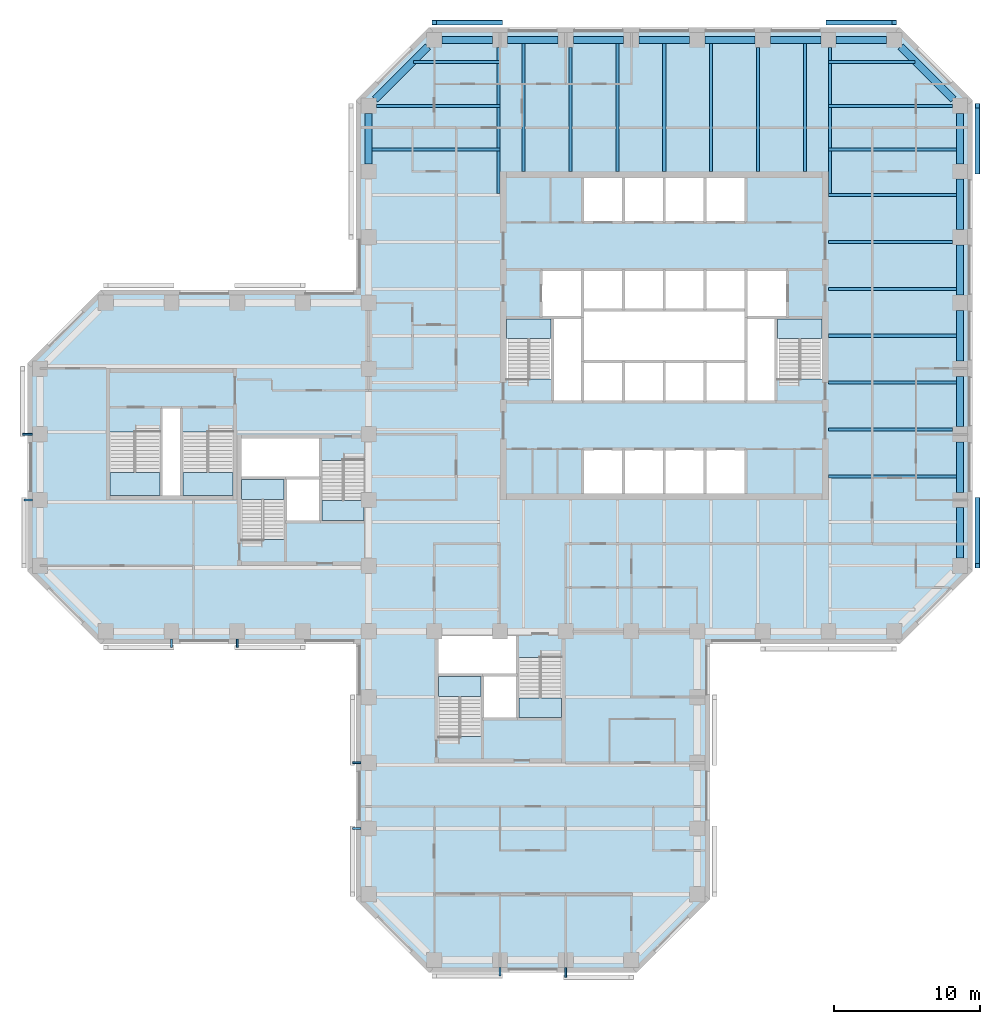
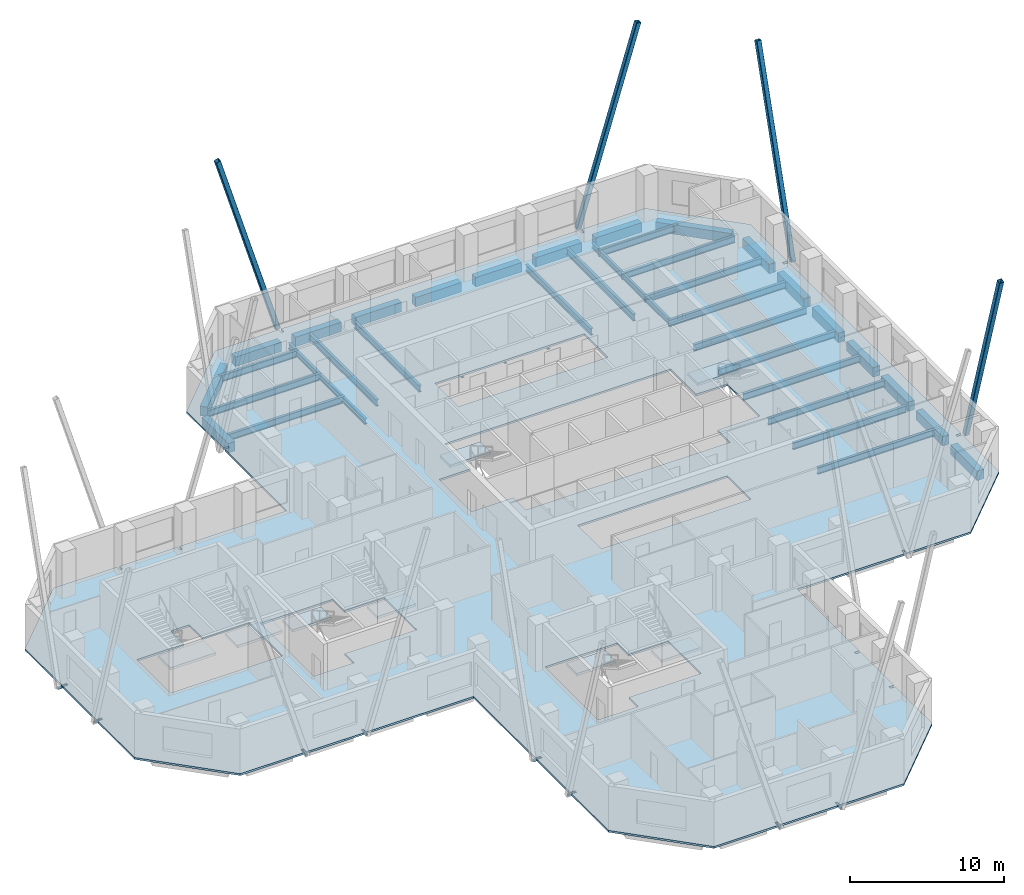
# One storey, part 2 of 11: 47 beams, 9 slabs, 4 members, 8 elements without a shape of their own.
"""IFC4 building model written with IfcOpenShell, lengths in metres."""

from ifc_helpers import new_model, si_unit, direction, frame, origin, origin_2d, place, context, subcontext, project, spatial, polyline, rectangle, hollow_rectangle, i_section, outline, extrude, material, layer, layer_set, material_profile, profile_set, type_object, element, aggregate, save


model = new_model("IFC4")

# Units and contexts
model_context = context("Model", 3, precision=1e-05, world=origin(), true_north=direction((0.0, 1.0)))
body_context = subcontext(model_context, "Body", "Model", "MODEL_VIEW")
ifc_project = project(units=[si_unit("LENGTHUNIT", "METRE"), si_unit("AREAUNIT", "SQUARE_METRE"), si_unit("VOLUMEUNIT", "CUBIC_METRE"), si_unit("PLANEANGLEUNIT", "RADIAN"), si_unit("MASSUNIT", "GRAM", prefix="KILO")], contexts=[model_context])

# Site, building, storey
site_placement = place(None, origin())
site = spatial("IfcSite", under=ifc_project, at=site_placement, CompositionType="ELEMENT")
building_placement = place(site_placement, origin())
building = spatial("IfcBuilding", under=site, at=building_placement, Name="Quoin Convention Tower", CompositionType="ELEMENT")
storey_placement = place(building_placement, frame((0.0, 0.0, 82.60009765625)))
storey = spatial("IfcBuildingStorey", under=building, at=storey_placement, Name="L21", CompositionType="ELEMENT", Elevation=82.60009765625)

# Beams
ifc_material_1 = material(Name="Steel C450L0", Category="steel")
ifc_material_profile_1 = material_profile(ifc_material_1, hollow_rectangle(XDim=0.14990234375, YDim=0.14990234375, WallThickness=0.008056640625, InnerFilletRadius=0.011962890625, OuterFilletRadius=0.02001953125, at=origin_2d()), Name="150x150x8.0SHS")
ifc_profile_set_1 = profile_set([ifc_material_profile_1], Name="Steel C450L0")
beam_type_1 = type_object("IfcBeamType", Name="150x150x8.0SHS", PredefinedType="BEAM", material=ifc_profile_set_1)
beam_1_placement = place(storey_placement, frame((12.97509765625, 54.0, -0.0751953125), z_axis=(-1.0, 0.0, 0.0), x_axis=(0.0, -1.0, 0.0)))
element("IfcBeam", 1, at=beam_1_placement, inside=storey, type_object=beam_type_1, Name="brk-lo-L21-13500_58500-13500_54000", PredefinedType="BEAM", context=body_context, shape_type="SweptSolid", body=[
    extrude(hollow_rectangle(XDim=0.14990234375, YDim=0.14990234375, WallThickness=0.008056640625, InnerFilletRadius=0.011962890625, OuterFilletRadius=0.02001953125, at=origin_2d()), origin(), (0.0, 0.0, 1.0), 0.675048828125),
])
for number, where, z_axis, x_axis, name in (
    (2, (12.97509765625, 49.5, -0.0751953125), (-1.0, 0.0, 0.0), (0.0, -1.0, 0.0), "brk-lo-L21-13500_49500-13500_45000"),
    (3, (22.5, 39.97509765625, -0.0751953125), (0.0, -1.0, 0.0), (1.0, 0.0, 0.0), "brk-lo-L21-18000_40500-22500_40500"),
    (4, (27.0, 39.97509765625, -0.0751953125), (0.0, -1.0, 0.0), (1.0, 0.0, 0.0), "brk-lo-L21-27000_40500-31500_40500"),
    (5, (35.47509765625, 31.5, -0.0751953125), (-1.0, 0.0, 0.0), (0.0, -1.0, 0.0), "brk-lo-L21-36000_36000-36000_31500"),
    (6, (35.47509765625, 27.0, -0.0751953125), (-1.0, 0.0, 0.0), (0.0, -1.0, 0.0), "brk-lo-L21-36000_27000-36000_22500"),
    (7, (45.0, 17.47509765625, -0.0751953125), (0.0, -1.0, 0.0), (1.0, 0.0, 0.0), "brk-lo-L21-40500_18000-45000_18000"),
):
    element("IfcBeam", number, at=place(storey_placement, frame(where, z_axis=z_axis, x_axis=x_axis)), inside=storey, type_object=beam_type_1, Name=name, PredefinedType="BEAM", context=body_context, shape_type="SweptSolid", body=[
        extrude(hollow_rectangle(XDim=0.14990234375, YDim=0.14990234375, WallThickness=0.008056640625, InnerFilletRadius=0.011962890625, OuterFilletRadius=0.02001953125, at=origin_2d()), origin(), (0.0, 0.0, 1.0), 0.5751953125),
    ])
beam_2_placement = place(storey_placement, frame((49.5, 17.47509765625, -0.0751953125), z_axis=(0.0, -1.0, 0.0), x_axis=(1.0, 0.0, 0.0)))
element("IfcBeam", 8, at=beam_2_placement, inside=storey, type_object=beam_type_1, Name="brk-lo-L21-49500_18000-54000_18000", PredefinedType="BEAM", context=body_context, shape_type="SweptSolid", body=[
    extrude(hollow_rectangle(XDim=0.14990234375, YDim=0.14990234375, WallThickness=0.008056640625, InnerFilletRadius=0.011962890625, OuterFilletRadius=0.02001953125, at=origin_2d()), origin(), (0.0, 0.0, 1.0), 0.675048828125),
])
ifc_material_2 = material(Name="Steel Grade 300", Category="steel")
ifc_material_profile_2 = material_profile(ifc_material_2, i_section(OverallWidth=0.18994140625, OverallDepth=0.4541015625, WebThickness=0.008544921875, FlangeThickness=0.0126953125, FilletRadius=0.011474609375, at=origin_2d()), Name="460UB67.1")
ifc_profile_set_2 = profile_set([ifc_material_profile_2], Name="Steel Grade 300")
beam_type_2 = type_object("IfcBeamType", Name="460UB67.1", PredefinedType="BEAM", material=ifc_profile_set_2)
for number, where, z_axis, x_axis, name in (
    (9, (44.8955078125, 80.47509765625, -0.377197265625), (0.0, -1.0, 0.0), (1.0, 0.0, 0.0), "gir-L21-T1NW"),
    (10, (67.6044921875, 80.47509765625, -0.377197265625), (0.0, -1.0, 0.0), (1.0, 0.0, 0.0), "gir-L21-T1NE"),
):
    element("IfcBeam", number, at=place(storey_placement, frame(where, z_axis=z_axis, x_axis=x_axis)), inside=storey, type_object=beam_type_2, Name=name, PredefinedType="BEAM", context=body_context, shape_type="SweptSolid", body=[
        extrude(i_section(OverallWidth=0.18994140625, OverallDepth=0.4541015625, WebThickness=0.008544921875, FlangeThickness=0.0126953125, FilletRadius=0.011474609375, at=origin_2d()), origin(), (0.0, 0.0, 1.0), 9.977783203125),
    ])
ifc_material_profile_3 = material_profile(ifc_material_2, i_section(OverallWidth=0.208984375, OverallDepth=0.528076171875, WebThickness=0.009521484375, FlangeThickness=0.01318359375, FilletRadius=0.013916015625, at=origin_2d()), Name="530UB82.0")
ifc_profile_set_3 = profile_set([ifc_material_profile_3], Name="Steel Grade 300")
beam_type_3 = type_object("IfcBeamType", Name="530UB82.0", PredefinedType="BEAM", material=ifc_profile_set_3)
beam_3_placement = place(storey_placement, frame((67.5, 51.107177734375, -0.4140625), z_axis=(1.0, 0.0, 0.0), x_axis=(0.0, 1.0, 0.0)))
element("IfcBeam", 11, at=beam_3_placement, inside=storey, type_object=beam_type_3, Name="bm-L21-T1E0", PredefinedType="BEAM", context=body_context, shape_type="SweptSolid", body=[
    extrude(i_section(OverallWidth=0.208984375, OverallDepth=0.528076171875, WebThickness=0.009521484375, FlangeThickness=0.01318359375, FilletRadius=0.013916015625, at=origin_2d()), origin(), (0.0, 0.0, 1.0), 8.75),
])
beam_4_placement = place(storey_placement, frame((67.5, 54.3212890625, -0.4140625), z_axis=(1.0, 0.0, 0.0), x_axis=(0.0, 1.0, 0.0)))
element("IfcBeam", 12, at=beam_4_placement, inside=storey, type_object=beam_type_3, Name="bm-L21-T1E1", PredefinedType="BEAM", context=body_context, shape_type="SweptSolid", body=[
    extrude(i_section(OverallWidth=0.208984375, OverallDepth=0.528076171875, WebThickness=0.009521484375, FlangeThickness=0.01318359375, FilletRadius=0.013916015625, at=origin_2d()), origin(), (0.0, 0.0, 1.0), 8.47509765625),
])
for number, where, z_axis, x_axis, name in (
    (13, (67.5, 57.53564453125, -0.4140625), (1.0, 0.0, 0.0), (0.0, 1.0, 0.0), "bm-L21-T1E2"),
    (14, (67.5, 60.75, -0.4140625), (1.0, 0.0, 0.0), (0.0, 1.0, 0.0), "bm-L21-T1E3"),
    (15, (67.5, 63.96435546875, -0.4140625), (1.0, 0.0, 0.0), (0.0, 1.0, 0.0), "bm-L21-T1E4"),
):
    element("IfcBeam", number, at=place(storey_placement, frame(where, z_axis=z_axis, x_axis=x_axis)), inside=storey, type_object=beam_type_3, Name=name, PredefinedType="BEAM", context=body_context, shape_type="SweptSolid", body=[
        extrude(i_section(OverallWidth=0.208984375, OverallDepth=0.528076171875, WebThickness=0.009521484375, FlangeThickness=0.01318359375, FilletRadius=0.013916015625, at=origin_2d()), origin(), (0.0, 0.0, 1.0), 8.75),
    ])
beam_5_placement = place(storey_placement, frame((67.5, 67.1787109375, -0.4140625), z_axis=(1.0, 0.0, 0.0), x_axis=(0.0, 1.0, 0.0)))
element("IfcBeam", 16, at=beam_5_placement, inside=storey, type_object=beam_type_3, Name="bm-L21-T1E5", PredefinedType="BEAM", context=body_context, shape_type="SweptSolid", body=[
    extrude(i_section(OverallWidth=0.208984375, OverallDepth=0.528076171875, WebThickness=0.009521484375, FlangeThickness=0.01318359375, FilletRadius=0.013916015625, at=origin_2d()), origin(), (0.0, 0.0, 1.0), 8.47509765625),
])
for number, where, z_axis, x_axis, name in (
    (17, (67.5, 70.392822265625, -0.4140625), (1.0, 0.0, 0.0), (0.0, 1.0, 0.0), "bm-L21-T1E6"),
    (18, (46.607177734375, 72.0, -0.4140625), (0.0, 1.0, 0.0), (-1.0, 0.0, 0.0), "bm-L21-T1N0"),
):
    element("IfcBeam", number, at=place(storey_placement, frame(where, z_axis=z_axis, x_axis=x_axis)), inside=storey, type_object=beam_type_3, Name=name, PredefinedType="BEAM", context=body_context, shape_type="SweptSolid", body=[
        extrude(i_section(OverallWidth=0.208984375, OverallDepth=0.528076171875, WebThickness=0.009521484375, FlangeThickness=0.01318359375, FilletRadius=0.013916015625, at=origin_2d()), origin(), (0.0, 0.0, 1.0), 8.75),
    ])
beam_6_placement = place(storey_placement, frame((49.8212890625, 72.0, -0.4140625), z_axis=(0.0, 1.0, 0.0), x_axis=(-1.0, 0.0, 0.0)))
element("IfcBeam", 19, at=beam_6_placement, inside=storey, type_object=beam_type_3, Name="bm-L21-T1N1", PredefinedType="BEAM", context=body_context, shape_type="SweptSolid", body=[
    extrude(i_section(OverallWidth=0.208984375, OverallDepth=0.528076171875, WebThickness=0.009521484375, FlangeThickness=0.01318359375, FilletRadius=0.013916015625, at=origin_2d()), origin(), (0.0, 0.0, 1.0), 8.47509765625),
])
for number, where, z_axis, x_axis, name in (
    (20, (53.03564453125, 72.0, -0.4140625), (0.0, 1.0, 0.0), (-1.0, 0.0, 0.0), "bm-L21-T1N2"),
    (21, (56.25, 72.0, -0.4140625), (0.0, 1.0, 0.0), (-1.0, 0.0, 0.0), "bm-L21-T1N3"),
    (22, (59.46435546875, 72.0, -0.4140625), (0.0, 1.0, 0.0), (-1.0, 0.0, 0.0), "bm-L21-T1N4"),
):
    element("IfcBeam", number, at=place(storey_placement, frame(where, z_axis=z_axis, x_axis=x_axis)), inside=storey, type_object=beam_type_3, Name=name, PredefinedType="BEAM", context=body_context, shape_type="SweptSolid", body=[
        extrude(i_section(OverallWidth=0.208984375, OverallDepth=0.528076171875, WebThickness=0.009521484375, FlangeThickness=0.01318359375, FilletRadius=0.013916015625, at=origin_2d()), origin(), (0.0, 0.0, 1.0), 8.75),
    ])
beam_7_placement = place(storey_placement, frame((62.6787109375, 72.0, -0.4140625), z_axis=(0.0, 1.0, 0.0), x_axis=(-1.0, 0.0, 0.0)))
element("IfcBeam", 23, at=beam_7_placement, inside=storey, type_object=beam_type_3, Name="bm-L21-T1N5", PredefinedType="BEAM", context=body_context, shape_type="SweptSolid", body=[
    extrude(i_section(OverallWidth=0.208984375, OverallDepth=0.528076171875, WebThickness=0.009521484375, FlangeThickness=0.01318359375, FilletRadius=0.013916015625, at=origin_2d()), origin(), (0.0, 0.0, 1.0), 8.47509765625),
])
beam_8_placement = place(storey_placement, frame((65.892822265625, 72.0, -0.4140625), z_axis=(0.0, 1.0, 0.0), x_axis=(-1.0, 0.0, 0.0)))
element("IfcBeam", 24, at=beam_8_placement, inside=storey, type_object=beam_type_3, Name="bm-L21-T1N6", PredefinedType="BEAM", context=body_context, shape_type="SweptSolid", body=[
    extrude(i_section(OverallWidth=0.208984375, OverallDepth=0.528076171875, WebThickness=0.009521484375, FlangeThickness=0.01318359375, FilletRadius=0.013916015625, at=origin_2d()), origin(), (0.0, 0.0, 1.0), 8.75),
])
beam_9_placement = place(storey_placement, frame((39.072265625, 79.5, -0.4140625), z_axis=(1.0, 0.0, 0.0), x_axis=(0.0, 1.0, 0.0)))
element("IfcBeam", 25, at=beam_9_placement, inside=storey, type_object=beam_type_3, Name="bm-L21-T1NW0", PredefinedType="BEAM", context=body_context, shape_type="SweptSolid", body=[
    extrude(i_section(OverallWidth=0.208984375, OverallDepth=0.528076171875, WebThickness=0.009521484375, FlangeThickness=0.01318359375, FilletRadius=0.013916015625, at=origin_2d()), origin(), (0.0, 0.0, 1.0), 5.927734375),
])
beam_10_placement = place(storey_placement, frame((36.52490234375, 76.5, -0.4140625), z_axis=(1.0, 0.0, 0.0), x_axis=(0.0, 1.0, 0.0)))
element("IfcBeam", 26, at=beam_10_placement, inside=storey, type_object=beam_type_3, Name="bm-L21-T1NW1", PredefinedType="BEAM", context=body_context, shape_type="SweptSolid", body=[
    extrude(i_section(OverallWidth=0.208984375, OverallDepth=0.528076171875, WebThickness=0.009521484375, FlangeThickness=0.01318359375, FilletRadius=0.013916015625, at=origin_2d()), origin(), (0.0, 0.0, 1.0), 8.47509765625),
])
beam_11_placement = place(storey_placement, frame((36.25, 73.5, -0.4140625), z_axis=(1.0, 0.0, 0.0), x_axis=(0.0, 1.0, 0.0)))
element("IfcBeam", 27, at=beam_11_placement, inside=storey, type_object=beam_type_3, Name="bm-L21-T1NW2", PredefinedType="BEAM", context=body_context, shape_type="SweptSolid", body=[
    extrude(i_section(OverallWidth=0.208984375, OverallDepth=0.528076171875, WebThickness=0.009521484375, FlangeThickness=0.01318359375, FilletRadius=0.013916015625, at=origin_2d()), origin(), (0.0, 0.0, 1.0), 8.75),
])
beam_12_placement = place(storey_placement, frame((67.5, 79.5, -0.4140625), z_axis=(1.0, 0.0, 0.0), x_axis=(0.0, 1.0, 0.0)))
element("IfcBeam", 28, at=beam_12_placement, inside=storey, type_object=beam_type_3, Name="bm-L21-T1NE0", PredefinedType="BEAM", context=body_context, shape_type="SweptSolid", body=[
    extrude(i_section(OverallWidth=0.208984375, OverallDepth=0.528076171875, WebThickness=0.009521484375, FlangeThickness=0.01318359375, FilletRadius=0.013916015625, at=origin_2d()), origin(), (0.0, 0.0, 1.0), 5.927734375),
])
beam_13_placement = place(storey_placement, frame((67.5, 76.5, -0.4140625), z_axis=(1.0, 0.0, 0.0), x_axis=(0.0, 1.0, 0.0)))
element("IfcBeam", 29, at=beam_13_placement, inside=storey, type_object=beam_type_3, Name="bm-L21-T1NE1", PredefinedType="BEAM", context=body_context, shape_type="SweptSolid", body=[
    extrude(i_section(OverallWidth=0.208984375, OverallDepth=0.528076171875, WebThickness=0.009521484375, FlangeThickness=0.01318359375, FilletRadius=0.013916015625, at=origin_2d()), origin(), (0.0, 0.0, 1.0), 8.47509765625),
])
beam_14_placement = place(storey_placement, frame((67.5, 73.5, -0.4140625), z_axis=(1.0, 0.0, 0.0), x_axis=(0.0, 1.0, 0.0)))
element("IfcBeam", 30, at=beam_14_placement, inside=storey, type_object=beam_type_3, Name="bm-L21-T1NE2", PredefinedType="BEAM", context=body_context, shape_type="SweptSolid", body=[
    extrude(i_section(OverallWidth=0.208984375, OverallDepth=0.528076171875, WebThickness=0.009521484375, FlangeThickness=0.01318359375, FilletRadius=0.013916015625, at=origin_2d()), origin(), (0.0, 0.0, 1.0), 8.75),
])

# Members
ifc_material_profile_4 = material_profile(ifc_material_1, hollow_rectangle(XDim=0.35009765625, YDim=0.35009765625, WallThickness=0.01611328125, InnerFilletRadius=0.02392578125, OuterFilletRadius=0.0400390625, at=origin_2d()), Name="350x350x16.0SHS")
ifc_profile_set_4 = profile_set([ifc_material_profile_4], Name="Steel C450L0")
member_type = type_object("IfcMemberType", Name="Exposed brace 350x350x16.0SHS", PredefinedType="BRACE", material=ifc_profile_set_4)
for number, where, z_axis, x_axis, name in (
    (31, (67.5, 82.199951171875, -0.0751953125), (0.290903487189, 0.0, 0.956752403259), (0.0, 1.0, 0.0), "brc-L21-72000_81000-67500_81000"),
    (32, (45.0, 82.199951171875, -0.0751953125), (-0.290903487189, 0.0, 0.956752403259), (0.0, -1.0, 0.0), "brc-L21-45000_81000-40500_81000"),
    (33, (77.699951171875, 49.5, -0.0751953125), (0.0, -0.290903487189, 0.956752403259), (1.0, 0.0, 0.0), "brc-L21-76500_45000-76500_49500"),
    (34, (77.699951171875, 72.0, -0.0751953125), (0.0, 0.290903487189, 0.956752403259), (-1.0, 0.0, 0.0), "brc-L21-76500_72000-76500_76500"),
):
    element("IfcMember", number, at=place(storey_placement, frame(where, z_axis=z_axis, x_axis=x_axis)), inside=storey, type_object=member_type, Name=name, PredefinedType="BRACE", context=body_context, shape_type="SweptSolid", body=[
        extrude(hollow_rectangle(XDim=0.35009765625, YDim=0.35009765625, WallThickness=0.01611328125, InnerFilletRadius=0.02392578125, OuterFilletRadius=0.0400390625, at=origin_2d()), origin(), (0.0, 0.0, 1.0), 15.468994140625),
    ])

# Beams
ifc_material_3 = material(Name="Concrete C65", Category="concrete")
ifc_material_profile_5 = material_profile(ifc_material_3, rectangle(XDim=0.5, YDim=0.75, at=origin_2d()), Name="RC 500x750")
ifc_profile_set_5 = profile_set([ifc_material_profile_5], Name="Concrete C65")
beam_type_4 = type_object("IfcBeamType", Name="RC 500x750 C65", PredefinedType="SPANDREL", material=ifc_profile_set_5)
for number, where, z_axis, x_axis, name in (
    (35, (76.5, 45.52490234375, -0.525146484375), (0.0, 1.0, 0.0), (-1.0, 0.0, 0.0), "spd-L21-76500_45000-76500_49500"),
    (36, (76.5, 50.02490234375, -0.525146484375), (0.0, 1.0, 0.0), (-1.0, 0.0, 0.0), "spd-L21-76500_49500-76500_54000"),
    (37, (76.5, 54.52490234375, -0.525146484375), (0.0, 1.0, 0.0), (-1.0, 0.0, 0.0), "spd-L21-76500_54000-76500_58500"),
    (38, (76.5, 59.02490234375, -0.525146484375), (0.0, 1.0, 0.0), (-1.0, 0.0, 0.0), "spd-L21-76500_58500-76500_63000"),
    (39, (76.5, 63.52490234375, -0.525146484375), (0.0, 1.0, 0.0), (-1.0, 0.0, 0.0), "spd-L21-76500_63000-76500_67500"),
    (40, (76.5, 68.02490234375, -0.525146484375), (0.0, 1.0, 0.0), (-1.0, 0.0, 0.0), "spd-L21-76500_67500-76500_72000"),
    (41, (76.5, 72.52490234375, -0.525146484375), (0.0, 1.0, 0.0), (-1.0, 0.0, 0.0), "spd-L21-76500_72000-76500_76500"),
):
    element("IfcBeam", number, at=place(storey_placement, frame(where, z_axis=z_axis, x_axis=x_axis)), inside=storey, type_object=beam_type_4, Name=name, PredefinedType="SPANDREL", context=body_context, shape_type="SweptSolid", body=[
        extrude(rectangle(XDim=0.5, YDim=0.75, at=origin_2d()), origin(), (0.0, 0.0, 1.0), 3.4501953125),
    ])
beam_15_placement = place(storey_placement, frame((76.059814453125, 76.940185546875, -0.525146484375), z_axis=(-0.707106781187, 0.707106781187, 0.0), x_axis=(-0.707106781187, -0.707106781187, 0.0)))
element("IfcBeam", 42, at=beam_15_placement, inside=storey, type_object=beam_type_4, Name="spd-L21-76500_76500-72000_81000", PredefinedType="SPANDREL", context=body_context, shape_type="SweptSolid", body=[
    extrude(rectangle(XDim=0.5, YDim=0.75, at=origin_2d()), origin(), (0.0, 0.0, 1.0), 5.118896484375),
])
for number, where, z_axis, x_axis, name in (
    (43, (71.47509765625, 81.0, -0.525146484375), (-1.0, 0.0, 0.0), (0.0, -1.0, 0.0), "spd-L21-72000_81000-67500_81000"),
    (44, (66.97509765625, 81.0, -0.525146484375), (-1.0, 0.0, 0.0), (0.0, -1.0, 0.0), "spd-L21-67500_81000-63000_81000"),
    (45, (62.47509765625, 81.0, -0.525146484375), (-1.0, 0.0, 0.0), (0.0, -1.0, 0.0), "spd-L21-63000_81000-58500_81000"),
    (46, (57.97509765625, 81.0, -0.525146484375), (-1.0, 0.0, 0.0), (0.0, -1.0, 0.0), "spd-L21-58500_81000-54000_81000"),
    (47, (53.47509765625, 81.0, -0.525146484375), (-1.0, 0.0, 0.0), (0.0, -1.0, 0.0), "spd-L21-54000_81000-49500_81000"),
    (48, (48.97509765625, 81.0, -0.525146484375), (-1.0, 0.0, 0.0), (0.0, -1.0, 0.0), "spd-L21-49500_81000-45000_81000"),
    (49, (44.47509765625, 81.0, -0.525146484375), (-1.0, 0.0, 0.0), (0.0, -1.0, 0.0), "spd-L21-45000_81000-40500_81000"),
):
    element("IfcBeam", number, at=place(storey_placement, frame(where, z_axis=z_axis, x_axis=x_axis)), inside=storey, type_object=beam_type_4, Name=name, PredefinedType="SPANDREL", context=body_context, shape_type="SweptSolid", body=[
        extrude(rectangle(XDim=0.5, YDim=0.75, at=origin_2d()), origin(), (0.0, 0.0, 1.0), 3.4501953125),
    ])
beam_16_placement = place(storey_placement, frame((40.059814453125, 80.559814453125, -0.525146484375), z_axis=(-0.707106781187, -0.707106781187, 0.0), x_axis=(0.707106781187, -0.707106781187, 0.0)))
element("IfcBeam", 50, at=beam_16_placement, inside=storey, type_object=beam_type_4, Name="spd-L21-40500_81000-36000_76500", PredefinedType="SPANDREL", context=body_context, shape_type="SweptSolid", body=[
    extrude(rectangle(XDim=0.5, YDim=0.75, at=origin_2d()), origin(), (0.0, 0.0, 1.0), 5.118896484375),
])
beam_17_placement = place(storey_placement, frame((36.0, 75.97509765625, -0.525146484375), z_axis=(0.0, -1.0, 0.0), x_axis=(1.0, 0.0, 0.0)))
element("IfcBeam", 51, at=beam_17_placement, inside=storey, type_object=beam_type_4, Name="spd-L21-36000_76500-36000_72000", PredefinedType="SPANDREL", context=body_context, shape_type="SweptSolid", body=[
    extrude(rectangle(XDim=0.5, YDim=0.75, at=origin_2d()), origin(), (0.0, 0.0, 1.0), 3.4501953125),
])

# Slab
ifc_material_4 = material(Name="Concrete C40", Category="concrete")
ifc_layer_1 = layer(ifc_material_4, 0.14990234375)
ifc_layer_set_1 = layer_set([ifc_layer_1], Name="Concrete C40")
slab_type_1 = type_object("IfcSlabType", Name="COMPOSITE SLAB 150 C40", PredefinedType="FLOOR", material=ifc_layer_set_1)
slab_1_placement = place(storey_placement, frame((0.0, 0.0, -0.150146484375)))
element("IfcSlab", 52, at=slab_1_placement, inside=storey, type_object=slab_type_1, Name="slb-L21", PredefinedType="FLOOR", context=body_context, shape_type="SweptSolid", body=[
    extrude(outline(polyline([(54.3623046875, 17.125), (49.594970703125, 17.125), (49.594970703125, 17.4951171875), (49.405029296875, 17.4951171875), (49.405029296875, 17.125), (45.094970703125, 17.125), (45.094970703125, 17.4951171875), (44.905029296875, 17.4951171875), (44.905029296875, 17.125), (40.1376953125, 17.125), (35.125, 22.1376953125), (35.125, 26.905029296875), (35.4951171875, 26.905029296875), (35.4951171875, 27.094970703125), (35.125, 27.094970703125), (35.125, 31.405029296875), (35.4951171875, 31.405029296875), (35.4951171875, 31.594970703125), (35.125, 31.594970703125), (35.125, 39.625), (27.094970703125, 39.625), (27.094970703125, 39.9951171875), (26.905029296875, 39.9951171875), (26.905029296875, 39.625), (22.594970703125, 39.625), (22.594970703125, 39.9951171875), (22.405029296875, 39.9951171875), (22.405029296875, 39.625), (17.6376953125, 39.625), (12.625, 44.6376953125), (12.625, 49.405029296875), (12.9951171875, 49.405029296875), (12.9951171875, 49.594970703125), (12.625, 49.594970703125), (12.625, 53.905029296875), (12.9951171875, 53.905029296875), (12.9951171875, 54.094970703125), (12.625, 54.094970703125), (12.625, 58.8623046875), (17.6376953125, 63.875), (22.405029296875, 63.875), (22.405029296875, 63.5048828125), (22.594970703125, 63.5048828125), (22.594970703125, 63.875), (26.905029296875, 63.875), (26.905029296875, 63.5048828125), (27.094970703125, 63.5048828125), (27.094970703125, 63.875), (35.125, 63.875), (35.125, 71.905029296875), (35.4951171875, 71.905029296875), (35.4951171875, 72.094970703125), (35.125, 72.094970703125), (35.125, 76.8623046875), (40.1376953125, 81.875), (44.905029296875, 81.875), (44.905029296875, 81.5048828125), (45.094970703125, 81.5048828125), (45.094970703125, 81.875), (67.405029296875, 81.875), (67.405029296875, 81.5048828125), (67.594970703125, 81.5048828125), (67.594970703125, 81.875), (72.3623046875, 81.875), (77.375, 76.8623046875), (77.375, 72.094970703125), (77.0048828125, 72.094970703125), (77.0048828125, 71.905029296875), (77.375, 71.905029296875), (77.375, 49.594970703125), (77.0048828125, 49.594970703125), (77.0048828125, 49.405029296875), (77.375, 49.405029296875), (77.375, 44.6376953125), (72.3623046875, 39.625), (67.594970703125, 39.625), (67.594970703125, 39.9951171875), (67.405029296875, 39.9951171875), (67.405029296875, 39.625), (59.375, 39.625), (59.375, 31.594970703125), (59.0048828125, 31.594970703125), (59.0048828125, 31.405029296875), (59.375, 31.405029296875), (59.375, 27.094970703125), (59.0048828125, 27.094970703125), (59.0048828125, 26.905029296875), (59.375, 26.905029296875), (59.375, 22.1376953125), (54.3623046875, 17.125)]), holes=[polyline([(40.800048828125, 37.5), (40.800048828125, 33.300537109375), (43.800048828125, 33.300537109375), (43.800048828125, 34.5), (46.199951171875, 34.5), (49.199951171875, 34.5), (49.199951171875, 38.699462890625), (46.199951171875, 38.699462890625), (46.199951171875, 40.199951171875), (40.800048828125, 40.199951171875), (40.800048828125, 37.5)]), polyline([(32.699951171875, 52.199462890625), (32.699951171875, 53.699951171875), (27.300048828125, 53.699951171875), (27.300048828125, 51.0), (27.300048828125, 46.800537109375), (30.300048828125, 46.800537109375), (30.300048828125, 48.0), (32.699951171875, 48.0), (35.699951171875, 48.0), (35.699951171875, 52.199462890625), (32.699951171875, 52.199462890625)]), polyline([(56.25, 49.949951171875), (59.050048828125, 49.949951171875), (61.85009765625, 49.949951171875), (61.85009765625, 53.0), (59.050048828125, 53.0), (56.25, 53.0), (53.449951171875, 53.0), (50.64990234375, 53.0), (50.64990234375, 49.949951171875), (53.449951171875, 49.949951171875), (56.25, 49.949951171875)]), polyline([(21.800048828125, 54.1494140625), (18.300048828125, 54.1494140625), (18.300048828125, 49.800048828125), (21.800048828125, 49.800048828125), (23.199951171875, 49.800048828125), (26.699951171875, 49.800048828125), (26.699951171875, 54.1494140625), (23.199951171875, 54.1494140625), (23.199951171875, 55.85009765625), (21.800048828125, 55.85009765625), (21.800048828125, 54.1494140625)]), polyline([(48.60009765625, 56.199951171875), (50.64990234375, 56.199951171875), (53.449951171875, 56.199951171875), (56.25, 56.199951171875), (59.050048828125, 56.199951171875), (61.85009765625, 56.199951171875), (63.89990234375, 56.199951171875), (63.89990234375, 57.800537109375), (67.050048828125, 57.800537109375), (67.050048828125, 62.0), (64.699951171875, 62.0), (64.699951171875, 65.300048828125), (61.85009765625, 65.300048828125), (59.050048828125, 65.300048828125), (56.25, 65.300048828125), (53.449951171875, 65.300048828125), (50.64990234375, 65.300048828125), (47.800048828125, 65.300048828125), (47.800048828125, 62.0), (45.449951171875, 62.0), (45.449951171875, 57.800537109375), (48.60009765625, 57.800537109375), (48.60009765625, 56.199951171875)]), polyline([(53.449951171875, 68.5), (56.25, 68.5), (59.050048828125, 68.5), (61.85009765625, 68.5), (61.85009765625, 71.550048828125), (59.050048828125, 71.550048828125), (56.25, 71.550048828125), (53.449951171875, 71.550048828125), (50.64990234375, 71.550048828125), (50.64990234375, 68.5), (53.449951171875, 68.5)])]), origin(), (0.0, 0.0, 1.0), 0.150146484375),
])

# Stair, slab
stair_type_1 = type_object("IfcStairType", Name="Exit stair two-flight 1350", PredefinedType="HALF_TURN_STAIR", material=ifc_material_4)
stair_1_placement = place(storey_placement, origin())
stair_1 = element("IfcStair", 53, at=stair_1_placement, inside=storey, type_object=stair_type_1, Name="SD1 L21", PredefinedType="HALF_TURN_STAIR")
ifc_layer_2 = layer(ifc_material_4, 0.199951171875)
ifc_layer_set_2 = layer_set([ifc_layer_2], Name="Concrete C40")
slab_type_2 = type_object("IfcSlabType", Name="Stair landing 200", PredefinedType="LANDING", material=ifc_layer_set_2)
slab_2_placement = place(storey_placement, frame((0.0, 0.0, 1.792236328125)))
slab_2 = element("IfcSlab", 54, at=slab_2_placement, type_object=slab_type_2, Name="ST1 landing 1", PredefinedType="LANDING", context=body_context, shape_type="SweptSolid", body=[
    extrude(outline(polyline([(45.449951171875, 60.550048828125), (48.5, 60.550048828125), (48.5, 61.89990234375), (45.449951171875, 61.89990234375), (45.449951171875, 60.550048828125)])), origin(), (0.0, 0.0, 1.0), 0.199951171875),
])
aggregate(stair_1, [slab_2])

stair_2_placement = place(storey_placement, origin())
stair_2 = element("IfcStair", 55, at=stair_2_placement, inside=storey, type_object=stair_type_1, Name="SD2 L21", PredefinedType="HALF_TURN_STAIR")
slab_3_placement = place(storey_placement, frame((0.0, 0.0, 1.792236328125)))
slab_3 = element("IfcSlab", 56, at=slab_3_placement, type_object=slab_type_2, Name="ST2 landing 1", PredefinedType="LANDING", context=body_context, shape_type="SweptSolid", body=[
    extrude(outline(polyline([(64.0, 60.550048828125), (67.050048828125, 60.550048828125), (67.050048828125, 61.89990234375), (64.0, 61.89990234375), (64.0, 60.550048828125)])), origin(), (0.0, 0.0, 1.0), 0.199951171875),
])
aggregate(stair_2, [slab_3])

stair_3_placement = place(storey_placement, origin())
stair_3 = element("IfcStair", 57, at=stair_3_placement, inside=storey, type_object=stair_type_1, Name="SD3 L21", PredefinedType="HALF_TURN_STAIR")
slab_4_placement = place(storey_placement, frame((0.0, 0.0, 1.792236328125)))
slab_4 = element("IfcSlab", 58, at=slab_4_placement, type_object=slab_type_2, Name="ST3 landing 1", PredefinedType="LANDING", context=body_context, shape_type="SweptSolid", body=[
    extrude(outline(polyline([(27.300048828125, 49.550048828125), (30.199951171875, 49.550048828125), (30.199951171875, 50.89990234375), (27.300048828125, 50.89990234375), (27.300048828125, 49.550048828125)])), origin(), (0.0, 0.0, 1.0), 0.199951171875),
])
aggregate(stair_3, [slab_4])

stair_4_placement = place(storey_placement, origin())
stair_4 = element("IfcStair", 59, at=stair_4_placement, inside=storey, type_object=stair_type_1, Name="SD4 L21", PredefinedType="HALF_TURN_STAIR")
slab_5_placement = place(storey_placement, frame((0.0, 0.0, 1.792236328125)))
slab_5 = element("IfcSlab", 60, at=slab_5_placement, type_object=slab_type_2, Name="ST4 landing 1", PredefinedType="LANDING", context=body_context, shape_type="SweptSolid", body=[
    extrude(outline(polyline([(35.699951171875, 49.449951171875), (32.800048828125, 49.449951171875), (32.800048828125, 48.10009765625), (35.699951171875, 48.10009765625), (35.699951171875, 49.449951171875)])), origin(), (0.0, 0.0, 1.0), 0.199951171875),
])
aggregate(stair_4, [slab_5])

stair_5_placement = place(storey_placement, origin())
stair_5 = element("IfcStair", 61, at=stair_5_placement, inside=storey, type_object=stair_type_1, Name="SD5 L21", PredefinedType="HALF_TURN_STAIR")
slab_6_placement = place(storey_placement, frame((0.0, 0.0, 1.792236328125)))
slab_6 = element("IfcSlab", 62, at=slab_6_placement, type_object=slab_type_2, Name="ST5 landing 1", PredefinedType="LANDING", context=body_context, shape_type="SweptSolid", body=[
    extrude(outline(polyline([(40.800048828125, 36.050048828125), (43.699951171875, 36.050048828125), (43.699951171875, 37.39990234375), (40.800048828125, 37.39990234375), (40.800048828125, 36.050048828125)])), origin(), (0.0, 0.0, 1.0), 0.199951171875),
])
aggregate(stair_5, [slab_6])

stair_6_placement = place(storey_placement, origin())
stair_6 = element("IfcStair", 63, at=stair_6_placement, inside=storey, type_object=stair_type_1, Name="SD6 L21", PredefinedType="HALF_TURN_STAIR")
slab_7_placement = place(storey_placement, frame((0.0, 0.0, 1.792236328125)))
slab_7 = element("IfcSlab", 64, at=slab_7_placement, type_object=slab_type_2, Name="ST6 landing 1", PredefinedType="LANDING", context=body_context, shape_type="SweptSolid", body=[
    extrude(outline(polyline([(49.199951171875, 35.949951171875), (46.300048828125, 35.949951171875), (46.300048828125, 34.60009765625), (49.199951171875, 34.60009765625), (49.199951171875, 35.949951171875)])), origin(), (0.0, 0.0, 1.0), 0.199951171875),
])
aggregate(stair_6, [slab_7])

stair_type_2 = type_object("IfcStairType", Name="Exit stair two-flight 1600", PredefinedType="HALF_TURN_STAIR", material=ifc_material_4)
stair_7_placement = place(storey_placement, origin())
stair_7 = element("IfcStair", 65, at=stair_7_placement, inside=storey, type_object=stair_type_2, Name="SD11 L21", PredefinedType="HALF_TURN_STAIR")
slab_8_placement = place(storey_placement, frame((0.0, 0.0, 1.792236328125)))
slab_8 = element("IfcSlab", 66, at=slab_8_placement, type_object=slab_type_2, Name="ST11 landing 1", PredefinedType="LANDING", context=body_context, shape_type="SweptSolid", body=[
    extrude(outline(polyline([(21.699951171875, 51.39990234375), (18.300048828125, 51.39990234375), (18.300048828125, 49.800048828125), (21.699951171875, 49.800048828125), (21.699951171875, 51.39990234375)])), origin(), (0.0, 0.0, 1.0), 0.199951171875),
])
aggregate(stair_7, [slab_8])

stair_8_placement = place(storey_placement, origin())
stair_8 = element("IfcStair", 67, at=stair_8_placement, inside=storey, type_object=stair_type_2, Name="SD12 L21", PredefinedType="HALF_TURN_STAIR")
slab_9_placement = place(storey_placement, frame((0.0, 0.0, 1.792236328125)))
slab_9 = element("IfcSlab", 68, at=slab_9_placement, type_object=slab_type_2, Name="ST12 landing 1", PredefinedType="LANDING", context=body_context, shape_type="SweptSolid", body=[
    extrude(outline(polyline([(26.699951171875, 51.39990234375), (23.300048828125, 51.39990234375), (23.300048828125, 49.800048828125), (26.699951171875, 49.800048828125), (26.699951171875, 51.39990234375)])), origin(), (0.0, 0.0, 1.0), 0.199951171875),
])
aggregate(stair_8, [slab_9])

save(model, "model.ifc")
